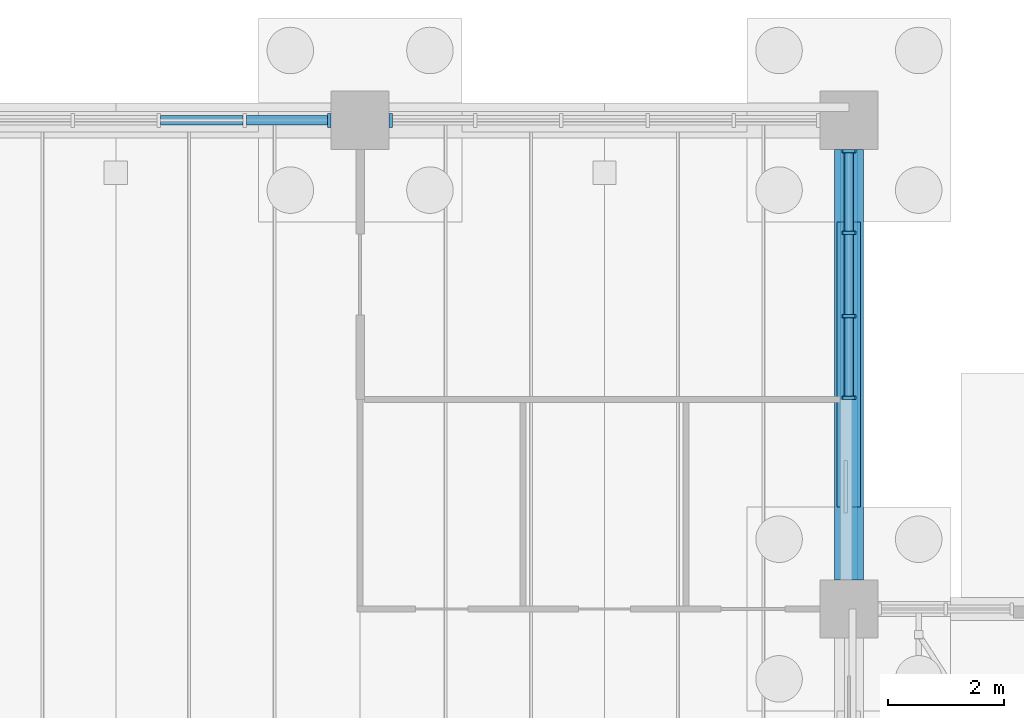
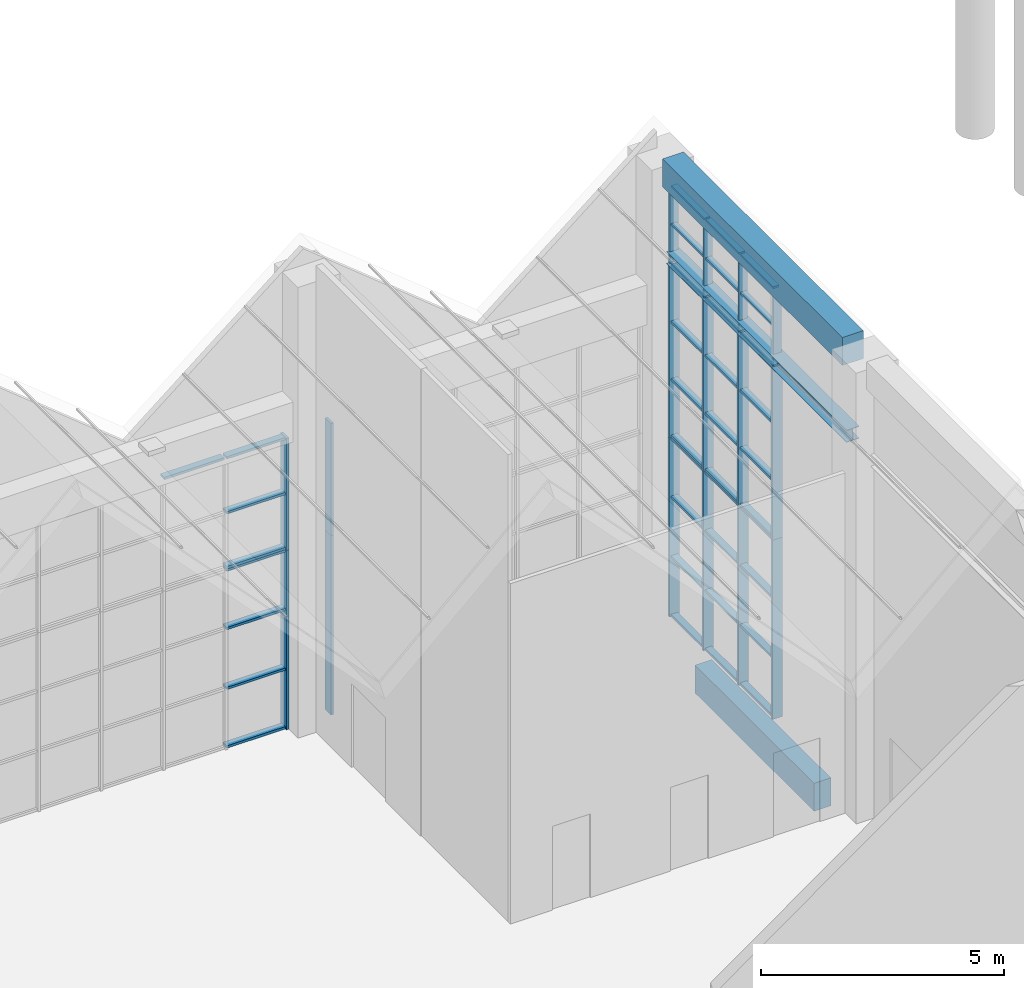
# One storey, part 57 of 138: 57 members, 3 beams, 7 elements without a shape of their own.
"""IFC4 building model written with IfcOpenShell, lengths in metres."""

from ifc_helpers import new_model, si_unit, direction, frame, origin, origin_2d, place, context, subcontext, project, spatial, rectangle, i_section, extrude, material, material_profile, profile_set, type_object, element, aggregate, save


model = new_model("IFC4")

# Units and contexts
model_context = context("Model", 3, precision=1e-05, world=origin(), true_north=direction((0.0, 1.0)))
body_context = subcontext(model_context, "Body", "Model", "MODEL_VIEW")
ifc_project = project(units=[si_unit("LENGTHUNIT", "METRE"), si_unit("AREAUNIT", "SQUARE_METRE"), si_unit("VOLUMEUNIT", "CUBIC_METRE"), si_unit("PLANEANGLEUNIT", "RADIAN"), si_unit("MASSUNIT", "GRAM", prefix="KILO")], contexts=[model_context])

# Site, building, storey
site_placement = place(None, origin())
site = spatial("IfcSite", under=ifc_project, at=site_placement, CompositionType="ELEMENT")
building_placement = place(site_placement, origin())
building = spatial("IfcBuilding", under=site, at=building_placement, Name="Yavir Park General Hospital", CompositionType="ELEMENT")
storey_placement = place(building_placement, origin())
storey = spatial("IfcBuildingStorey", under=building, at=storey_placement, Name="L00", CompositionType="ELEMENT", Elevation=0.0)

# Beam
ifc_material_1 = material(Name="Steel S355", Category="steel")
ifc_material_profile_1 = material_profile(ifc_material_1, i_section(OverallWidth=0.300048828125, OverallDepth=0.31005859375, WebThickness=0.009033203125, FlangeThickness=0.015380859375, FilletRadius=0.027099609375, at=origin_2d()), Name="HEA320")
ifc_profile_set_1 = profile_set([ifc_material_profile_1], Name="Steel S355")
beam_type_1 = type_object("IfcBeamType", Name="HEA 320 wind girder", PredefinedType="BEAM", material=ifc_profile_set_1)
beam_1_placement = place(storey_placement, frame((109.199951171875, 59.300048828125, 9.0), z_axis=(0.0, 1.0, 0.0), x_axis=(-1.0, 0.0, 0.0)))
element("IfcBeam", 1, at=beam_1_placement, inside=storey, type_object=beam_type_1, Name="B:HALL:WIND:E2", PredefinedType="BEAM", context=body_context, shape_type="SweptSolid", body=[
    extrude(i_section(OverallWidth=0.300048828125, OverallDepth=0.31005859375, WebThickness=0.009033203125, FlangeThickness=0.015380859375, FilletRadius=0.027099609375, at=origin_2d()), origin(), (0.0, 0.0, 1.0), 7.39990234375),
])

# Curtain wall, members
ifc_material_2 = material(Name="Aluminium curtain wall frame with insulated glazing", Category="aluminium")
curtain_wall_type_1 = type_object("IfcCurtainWallType", Name="Main hall glazing, clerestory band, 1970 high, 1400 module", PredefinedType="NOTDEFINED", material=ifc_material_2)
curtain_wall_1_placement = place(storey_placement, origin())
curtain_wall_1 = element("IfcCurtainWall", 2, at=curtain_wall_1_placement, inside=storey, type_object=curtain_wall_type_1, Name="CW35 L00-066", PredefinedType="NOTDEFINED")
ifc_material_3 = material(Name="Aluminium", Category="aluminium")
ifc_material_profile_2 = material_profile(ifc_material_3, rectangle(XDim=0.199951171875, YDim=0.050048828125, at=origin_2d()), Name="AL 50x200")
ifc_profile_set_2 = profile_set([ifc_material_profile_2], Name="Aluminium")
member_type_1 = type_object("IfcMemberType", Name="Main hall glazing, clerestory band, 1970 high mullion 50 x 200", PredefinedType="MULLION", material=ifc_profile_set_2)
member_1_placement = place(storey_placement, frame((109.199951171875, 62.425048828125, 8.844970703125), z_axis=(0.0, 0.0, 1.0), x_axis=(-1.0, 0.0, 0.0)))
member_1 = element("IfcMember", 3, at=member_1_placement, type_object=member_type_1, Name="CW35 mullion 1", PredefinedType="MULLION", context=body_context, shape_type="SweptSolid", body=[
    extrude(rectangle(XDim=0.199951171875, YDim=0.050048828125, at=origin_2d()), origin(), (0.0, 0.0, 1.0), 1.969970703125),
])
member_2_placement = place(storey_placement, frame((109.199951171875, 63.833251953125, 8.844970703125), z_axis=(0.0, 0.0, 1.0), x_axis=(-1.0, 0.0, 0.0)))
member_2 = element("IfcMember", 4, at=member_2_placement, type_object=member_type_1, Name="CW35 mullion 2", PredefinedType="MULLION", context=body_context, shape_type="SweptSolid", body=[
    extrude(rectangle(XDim=0.199951171875, YDim=0.050048828125, at=origin_2d()), origin(), (0.0, 0.0, 1.0), 1.969970703125),
])
member_3_placement = place(storey_placement, frame((109.199951171875, 65.2666015625, 8.844970703125), z_axis=(0.0, 0.0, 1.0), x_axis=(-1.0, 0.0, 0.0)))
member_3 = element("IfcMember", 5, at=member_3_placement, type_object=member_type_1, Name="CW35 mullion 3", PredefinedType="MULLION", context=body_context, shape_type="SweptSolid", body=[
    extrude(rectangle(XDim=0.199951171875, YDim=0.050048828125, at=origin_2d()), origin(), (0.0, 0.0, 1.0), 1.969970703125),
])
member_4_placement = place(storey_placement, frame((109.199951171875, 66.675048828125, 8.844970703125), z_axis=(0.0, 0.0, 1.0), x_axis=(-1.0, 0.0, 0.0)))
member_4 = element("IfcMember", 6, at=member_4_placement, type_object=member_type_1, Name="CW35 mullion 4", PredefinedType="MULLION", context=body_context, shape_type="SweptSolid", body=[
    extrude(rectangle(XDim=0.199951171875, YDim=0.050048828125, at=origin_2d()), origin(), (0.0, 0.0, 1.0), 1.969970703125),
])
ifc_material_4 = material(Name="Aluminium", Category="aluminium")
ifc_material_profile_3 = material_profile(ifc_material_4, rectangle(XDim=0.139892578125, YDim=0.050048828125, at=origin_2d()), Name="AL 140x50")
ifc_profile_set_3 = profile_set([ifc_material_profile_3], Name="Aluminium")
member_type_2 = type_object("IfcMemberType", Name="Main hall glazing, clerestory band, 1970 high transom 50 x 140", PredefinedType="MULLION", material=ifc_profile_set_3)
member_5_placement = place(storey_placement, frame((109.199951171875, 62.449951171875, 8.8701171875), z_axis=(0.0, 1.0, 0.0), x_axis=(-1.0, 0.0, 0.0)))
member_5 = element("IfcMember", 7, at=member_5_placement, type_object=member_type_2, Name="CW35 transom 1.1", PredefinedType="MULLION", context=body_context, shape_type="SweptSolid", body=[
    extrude(rectangle(XDim=0.139892578125, YDim=0.050048828125, at=origin_2d()), origin(), (0.0, 0.0, 1.0), 1.3583984375),
])
member_6_placement = place(storey_placement, frame((109.199951171875, 62.449951171875, 9.830078125), z_axis=(0.0, 1.0, 0.0), x_axis=(-1.0, 0.0, 0.0)))
member_6 = element("IfcMember", 8, at=member_6_placement, type_object=member_type_2, Name="CW35 transom 1.2", PredefinedType="MULLION", context=body_context, shape_type="SweptSolid", body=[
    extrude(rectangle(XDim=0.139892578125, YDim=0.050048828125, at=origin_2d()), origin(), (0.0, 0.0, 1.0), 1.3583984375),
])
member_7_placement = place(storey_placement, frame((109.199951171875, 62.449951171875, 10.7900390625), z_axis=(0.0, 1.0, 0.0), x_axis=(-1.0, 0.0, 0.0)))
member_7 = element("IfcMember", 9, at=member_7_placement, type_object=member_type_2, Name="CW35 transom 1.3", PredefinedType="MULLION", context=body_context, shape_type="SweptSolid", body=[
    extrude(rectangle(XDim=0.139892578125, YDim=0.050048828125, at=origin_2d()), origin(), (0.0, 0.0, 1.0), 1.3583984375),
])
member_8_placement = place(storey_placement, frame((109.199951171875, 63.8583984375, 8.8701171875), z_axis=(0.0, 1.0, 0.0), x_axis=(-1.0, 0.0, 0.0)))
member_8 = element("IfcMember", 10, at=member_8_placement, type_object=member_type_2, Name="CW35 transom 2.1", PredefinedType="MULLION", context=body_context, shape_type="SweptSolid", body=[
    extrude(rectangle(XDim=0.139892578125, YDim=0.050048828125, at=origin_2d()), origin(), (0.0, 0.0, 1.0), 1.38330078125),
])
member_9_placement = place(storey_placement, frame((109.199951171875, 63.8583984375, 9.830078125), z_axis=(0.0, 1.0, 0.0), x_axis=(-1.0, 0.0, 0.0)))
member_9 = element("IfcMember", 11, at=member_9_placement, type_object=member_type_2, Name="CW35 transom 2.2", PredefinedType="MULLION", context=body_context, shape_type="SweptSolid", body=[
    extrude(rectangle(XDim=0.139892578125, YDim=0.050048828125, at=origin_2d()), origin(), (0.0, 0.0, 1.0), 1.38330078125),
])
member_10_placement = place(storey_placement, frame((109.199951171875, 63.8583984375, 10.7900390625), z_axis=(0.0, 1.0, 0.0), x_axis=(-1.0, 0.0, 0.0)))
member_10 = element("IfcMember", 12, at=member_10_placement, type_object=member_type_2, Name="CW35 transom 2.3", PredefinedType="MULLION", context=body_context, shape_type="SweptSolid", body=[
    extrude(rectangle(XDim=0.139892578125, YDim=0.050048828125, at=origin_2d()), origin(), (0.0, 0.0, 1.0), 1.38330078125),
])
member_11_placement = place(storey_placement, frame((109.199951171875, 65.291748046875, 8.8701171875), z_axis=(0.0, 1.0, 0.0), x_axis=(-1.0, 0.0, 0.0)))
member_11 = element("IfcMember", 13, at=member_11_placement, type_object=member_type_2, Name="CW35 transom 3.1", PredefinedType="MULLION", context=body_context, shape_type="SweptSolid", body=[
    extrude(rectangle(XDim=0.139892578125, YDim=0.050048828125, at=origin_2d()), origin(), (0.0, 0.0, 1.0), 1.358154296875),
])
member_12_placement = place(storey_placement, frame((109.199951171875, 65.291748046875, 9.830078125), z_axis=(0.0, 1.0, 0.0), x_axis=(-1.0, 0.0, 0.0)))
member_12 = element("IfcMember", 14, at=member_12_placement, type_object=member_type_2, Name="CW35 transom 3.2", PredefinedType="MULLION", context=body_context, shape_type="SweptSolid", body=[
    extrude(rectangle(XDim=0.139892578125, YDim=0.050048828125, at=origin_2d()), origin(), (0.0, 0.0, 1.0), 1.358154296875),
])
member_13_placement = place(storey_placement, frame((109.199951171875, 65.291748046875, 10.7900390625), z_axis=(0.0, 1.0, 0.0), x_axis=(-1.0, 0.0, 0.0)))
member_13 = element("IfcMember", 15, at=member_13_placement, type_object=member_type_2, Name="CW35 transom 3.3", PredefinedType="MULLION", context=body_context, shape_type="SweptSolid", body=[
    extrude(rectangle(XDim=0.139892578125, YDim=0.050048828125, at=origin_2d()), origin(), (0.0, 0.0, 1.0), 1.358154296875),
])
aggregate(curtain_wall_1, [member_1, member_2, member_3, member_4, member_5, member_6, member_7, member_8, member_9, member_10, member_11, member_12, member_13])

# Curtain wall, member
ifc_material_5 = material(Name="Aluminium curtain wall frame with insulated glazing", Category="aluminium")
curtain_wall_type_2 = type_object("IfcCurtainWallType", Name="Main hall glazing, lower band, 4500 high, 1400 module", PredefinedType="NOTDEFINED", material=ifc_material_5)
curtain_wall_2_placement = place(storey_placement, origin())
curtain_wall_2 = element("IfcCurtainWall", 16, at=curtain_wall_2_placement, inside=storey, type_object=curtain_wall_type_2, Name="CW33 L00-029", PredefinedType="NOTDEFINED")
ifc_material_6 = material(Name="Aluminium", Category="aluminium")
ifc_material_profile_4 = material_profile(ifc_material_6, rectangle(XDim=0.239990234375, YDim=0.06005859375, at=origin_2d()), Name="AL 60x240")
ifc_profile_set_4 = profile_set([ifc_material_profile_4], Name="Aluminium")
member_type_3 = type_object("IfcMemberType", Name="Main hall glazing, lower band, 4500 high mullion 60 x 240", PredefinedType="MULLION", material=ifc_profile_set_4)
member_14_placement = place(storey_placement, frame((100.27001953125, 67.199951171875, 0.0), z_axis=(0.0, 0.0, 1.0), x_axis=(0.0, 1.0, 0.0)))
member_14 = element("IfcMember", 17, at=member_14_placement, type_object=member_type_3, Name="CW33 mullion 6", PredefinedType="MULLION", context=body_context, shape_type="SweptSolid", body=[
    extrude(rectangle(XDim=0.239990234375, YDim=0.06005859375, at=origin_2d()), origin(), (0.0, 0.0, 1.0), 4.5),
])

curtain_wall_3_placement = place(storey_placement, origin())
curtain_wall_3 = element("IfcCurtainWall", 18, at=curtain_wall_3_placement, inside=storey, type_object=curtain_wall_type_2, Name="CW33 L00-031", PredefinedType="NOTDEFINED")
member_15_placement = place(storey_placement, frame((101.330078125, 67.199951171875, 0.0), z_axis=(0.0, 0.0, 1.0), x_axis=(0.0, 1.0, 0.0)))
member_15 = element("IfcMember", 19, at=member_15_placement, type_object=member_type_3, Name="CW33 mullion 1", PredefinedType="MULLION", context=body_context, shape_type="SweptSolid", body=[
    extrude(rectangle(XDim=0.239990234375, YDim=0.06005859375, at=origin_2d()), origin(), (0.0, 0.0, 1.0), 4.5),
])
aggregate(curtain_wall_3, [member_15])

# Curtain wall, members
curtain_wall_4_placement = place(storey_placement, origin())
curtain_wall_4 = element("IfcCurtainWall", 20, at=curtain_wall_4_placement, inside=storey, type_object=curtain_wall_type_2, Name="CW33 L00-064", PredefinedType="NOTDEFINED")
member_16_placement = place(storey_placement, frame((109.199951171875, 62.429931640625, 0.0), z_axis=(0.0, 0.0, 1.0), x_axis=(-1.0, 0.0, 0.0)))
member_16 = element("IfcMember", 21, at=member_16_placement, type_object=member_type_3, Name="CW33 mullion 1", PredefinedType="MULLION", context=body_context, shape_type="SweptSolid", body=[
    extrude(rectangle(XDim=0.239990234375, YDim=0.06005859375, at=origin_2d()), origin(), (0.0, 0.0, 1.0), 4.5),
])
member_17_placement = place(storey_placement, frame((109.199951171875, 63.833251953125, 0.0), z_axis=(0.0, 0.0, 1.0), x_axis=(-1.0, 0.0, 0.0)))
member_17 = element("IfcMember", 22, at=member_17_placement, type_object=member_type_3, Name="CW33 mullion 2", PredefinedType="MULLION", context=body_context, shape_type="SweptSolid", body=[
    extrude(rectangle(XDim=0.239990234375, YDim=0.06005859375, at=origin_2d()), origin(), (0.0, 0.0, 1.0), 4.5),
])
member_18_placement = place(storey_placement, frame((109.199951171875, 65.2666015625, 0.0), z_axis=(0.0, 0.0, 1.0), x_axis=(-1.0, 0.0, 0.0)))
member_18 = element("IfcMember", 23, at=member_18_placement, type_object=member_type_3, Name="CW33 mullion 3", PredefinedType="MULLION", context=body_context, shape_type="SweptSolid", body=[
    extrude(rectangle(XDim=0.239990234375, YDim=0.06005859375, at=origin_2d()), origin(), (0.0, 0.0, 1.0), 4.5),
])
member_19_placement = place(storey_placement, frame((109.199951171875, 66.669921875, 0.0), z_axis=(0.0, 0.0, 1.0), x_axis=(-1.0, 0.0, 0.0)))
member_19 = element("IfcMember", 24, at=member_19_placement, type_object=member_type_3, Name="CW33 mullion 4", PredefinedType="MULLION", context=body_context, shape_type="SweptSolid", body=[
    extrude(rectangle(XDim=0.239990234375, YDim=0.06005859375, at=origin_2d()), origin(), (0.0, 0.0, 1.0), 4.5),
])

# Member
ifc_material_7 = material(Name="Aluminium", Category="aluminium")
ifc_material_profile_5 = material_profile(ifc_material_7, rectangle(XDim=0.159912109375, YDim=0.06005859375, at=origin_2d()), Name="AL 160x60")
ifc_profile_set_5 = profile_set([ifc_material_profile_5], Name="Aluminium")
member_type_4 = type_object("IfcMemberType", Name="Main hall glazing, lower band, 4500 high transom 60 x 160", PredefinedType="MULLION", material=ifc_profile_set_5)
member_20_placement = place(storey_placement, frame((98.85009765625, 67.199951171875, 0.030029296875), z_axis=(1.0, 0.0, 0.0), x_axis=(0.0, 1.0, 0.0)))
member_20 = element("IfcMember", 25, at=member_20_placement, type_object=member_type_4, Name="CW33 transom 5.1", PredefinedType="MULLION", context=body_context, shape_type="SweptSolid", body=[
    extrude(rectangle(XDim=0.159912109375, YDim=0.06005859375, at=origin_2d()), origin(), (0.0, 0.0, 1.0), 1.389892578125),
])

member_21_placement = place(storey_placement, frame((98.85009765625, 67.199951171875, 1.5), z_axis=(1.0, 0.0, 0.0), x_axis=(0.0, 1.0, 0.0)))
member_21 = element("IfcMember", 26, at=member_21_placement, type_object=member_type_4, Name="CW33 transom 5.2", PredefinedType="MULLION", context=body_context, shape_type="SweptSolid", body=[
    extrude(rectangle(XDim=0.159912109375, YDim=0.06005859375, at=origin_2d()), origin(), (0.0, 0.0, 1.0), 1.389892578125),
])

member_22_placement = place(storey_placement, frame((98.85009765625, 67.199951171875, 3.0), z_axis=(1.0, 0.0, 0.0), x_axis=(0.0, 1.0, 0.0)))
member_22 = element("IfcMember", 27, at=member_22_placement, type_object=member_type_4, Name="CW33 transom 5.3", PredefinedType="MULLION", context=body_context, shape_type="SweptSolid", body=[
    extrude(rectangle(XDim=0.159912109375, YDim=0.06005859375, at=origin_2d()), origin(), (0.0, 0.0, 1.0), 1.389892578125),
])

member_23_placement = place(storey_placement, frame((98.85009765625, 67.199951171875, 4.469970703125), z_axis=(1.0, 0.0, 0.0), x_axis=(0.0, 1.0, 0.0)))
member_23 = element("IfcMember", 28, at=member_23_placement, type_object=member_type_4, Name="CW33 transom 5.4", PredefinedType="MULLION", context=body_context, shape_type="SweptSolid", body=[
    extrude(rectangle(XDim=0.159912109375, YDim=0.06005859375, at=origin_2d()), origin(), (0.0, 0.0, 1.0), 1.389892578125),
])

aggregate(curtain_wall_2, [member_14, member_20, member_21, member_22, member_23])

member_24_placement = place(storey_placement, frame((109.199951171875, 62.4599609375, 0.030029296875), z_axis=(0.0, 1.0, 0.0), x_axis=(-1.0, 0.0, 0.0)))
member_24 = element("IfcMember", 29, at=member_24_placement, type_object=member_type_4, Name="CW33 transom 1.1", PredefinedType="MULLION", context=body_context, shape_type="SweptSolid", body=[
    extrude(rectangle(XDim=0.159912109375, YDim=0.06005859375, at=origin_2d()), origin(), (0.0, 0.0, 1.0), 1.34326171875),
])

member_25_placement = place(storey_placement, frame((109.199951171875, 62.4599609375, 1.5), z_axis=(0.0, 1.0, 0.0), x_axis=(-1.0, 0.0, 0.0)))
member_25 = element("IfcMember", 30, at=member_25_placement, type_object=member_type_4, Name="CW33 transom 1.2", PredefinedType="MULLION", context=body_context, shape_type="SweptSolid", body=[
    extrude(rectangle(XDim=0.159912109375, YDim=0.06005859375, at=origin_2d()), origin(), (0.0, 0.0, 1.0), 1.34326171875),
])

member_26_placement = place(storey_placement, frame((109.199951171875, 62.4599609375, 3.0), z_axis=(0.0, 1.0, 0.0), x_axis=(-1.0, 0.0, 0.0)))
member_26 = element("IfcMember", 31, at=member_26_placement, type_object=member_type_4, Name="CW33 transom 1.3", PredefinedType="MULLION", context=body_context, shape_type="SweptSolid", body=[
    extrude(rectangle(XDim=0.159912109375, YDim=0.06005859375, at=origin_2d()), origin(), (0.0, 0.0, 1.0), 1.34326171875),
])

member_27_placement = place(storey_placement, frame((109.199951171875, 62.4599609375, 4.469970703125), z_axis=(0.0, 1.0, 0.0), x_axis=(-1.0, 0.0, 0.0)))
member_27 = element("IfcMember", 32, at=member_27_placement, type_object=member_type_4, Name="CW33 transom 1.4", PredefinedType="MULLION", context=body_context, shape_type="SweptSolid", body=[
    extrude(rectangle(XDim=0.159912109375, YDim=0.06005859375, at=origin_2d()), origin(), (0.0, 0.0, 1.0), 1.34326171875),
])

member_28_placement = place(storey_placement, frame((109.199951171875, 63.86328125, 0.030029296875), z_axis=(0.0, 1.0, 0.0), x_axis=(-1.0, 0.0, 0.0)))
member_28 = element("IfcMember", 33, at=member_28_placement, type_object=member_type_4, Name="CW33 transom 2.1", PredefinedType="MULLION", context=body_context, shape_type="SweptSolid", body=[
    extrude(rectangle(XDim=0.159912109375, YDim=0.06005859375, at=origin_2d()), origin(), (0.0, 0.0, 1.0), 1.373291015625),
])

member_29_placement = place(storey_placement, frame((109.199951171875, 63.86328125, 1.5), z_axis=(0.0, 1.0, 0.0), x_axis=(-1.0, 0.0, 0.0)))
member_29 = element("IfcMember", 34, at=member_29_placement, type_object=member_type_4, Name="CW33 transom 2.2", PredefinedType="MULLION", context=body_context, shape_type="SweptSolid", body=[
    extrude(rectangle(XDim=0.159912109375, YDim=0.06005859375, at=origin_2d()), origin(), (0.0, 0.0, 1.0), 1.373291015625),
])

member_30_placement = place(storey_placement, frame((109.199951171875, 63.86328125, 3.0), z_axis=(0.0, 1.0, 0.0), x_axis=(-1.0, 0.0, 0.0)))
member_30 = element("IfcMember", 35, at=member_30_placement, type_object=member_type_4, Name="CW33 transom 2.3", PredefinedType="MULLION", context=body_context, shape_type="SweptSolid", body=[
    extrude(rectangle(XDim=0.159912109375, YDim=0.06005859375, at=origin_2d()), origin(), (0.0, 0.0, 1.0), 1.373291015625),
])

member_31_placement = place(storey_placement, frame((109.199951171875, 63.86328125, 4.469970703125), z_axis=(0.0, 1.0, 0.0), x_axis=(-1.0, 0.0, 0.0)))
member_31 = element("IfcMember", 36, at=member_31_placement, type_object=member_type_4, Name="CW33 transom 2.4", PredefinedType="MULLION", context=body_context, shape_type="SweptSolid", body=[
    extrude(rectangle(XDim=0.159912109375, YDim=0.06005859375, at=origin_2d()), origin(), (0.0, 0.0, 1.0), 1.373291015625),
])

member_32_placement = place(storey_placement, frame((109.199951171875, 65.296630859375, 0.030029296875), z_axis=(0.0, 1.0, 0.0), x_axis=(-1.0, 0.0, 0.0)))
member_32 = element("IfcMember", 37, at=member_32_placement, type_object=member_type_4, Name="CW33 transom 3.1", PredefinedType="MULLION", context=body_context, shape_type="SweptSolid", body=[
    extrude(rectangle(XDim=0.159912109375, YDim=0.06005859375, at=origin_2d()), origin(), (0.0, 0.0, 1.0), 1.34326171875),
])

member_33_placement = place(storey_placement, frame((109.199951171875, 65.296630859375, 1.5), z_axis=(0.0, 1.0, 0.0), x_axis=(-1.0, 0.0, 0.0)))
member_33 = element("IfcMember", 38, at=member_33_placement, type_object=member_type_4, Name="CW33 transom 3.2", PredefinedType="MULLION", context=body_context, shape_type="SweptSolid", body=[
    extrude(rectangle(XDim=0.159912109375, YDim=0.06005859375, at=origin_2d()), origin(), (0.0, 0.0, 1.0), 1.34326171875),
])

member_34_placement = place(storey_placement, frame((109.199951171875, 65.296630859375, 3.0), z_axis=(0.0, 1.0, 0.0), x_axis=(-1.0, 0.0, 0.0)))
member_34 = element("IfcMember", 39, at=member_34_placement, type_object=member_type_4, Name="CW33 transom 3.3", PredefinedType="MULLION", context=body_context, shape_type="SweptSolid", body=[
    extrude(rectangle(XDim=0.159912109375, YDim=0.06005859375, at=origin_2d()), origin(), (0.0, 0.0, 1.0), 1.34326171875),
])

member_35_placement = place(storey_placement, frame((109.199951171875, 65.296630859375, 4.469970703125), z_axis=(0.0, 1.0, 0.0), x_axis=(-1.0, 0.0, 0.0)))
member_35 = element("IfcMember", 40, at=member_35_placement, type_object=member_type_4, Name="CW33 transom 3.4", PredefinedType="MULLION", context=body_context, shape_type="SweptSolid", body=[
    extrude(rectangle(XDim=0.159912109375, YDim=0.06005859375, at=origin_2d()), origin(), (0.0, 0.0, 1.0), 1.34326171875),
])

aggregate(curtain_wall_4, [member_16, member_17, member_18, member_19, member_24, member_25, member_26, member_27, member_28, member_29, member_30, member_31, member_32, member_33, member_34, member_35])

# Curtain wall, member
ifc_material_8 = material(Name="Aluminium curtain wall frame with insulated glazing", Category="aluminium")
curtain_wall_type_3 = type_object("IfcCurtainWallType", Name="Main hall glazing, upper band, 2817 high, 1400 module", PredefinedType="NOTDEFINED", material=ifc_material_8)
curtain_wall_5_placement = place(storey_placement, origin())
curtain_wall_5 = element("IfcCurtainWall", 41, at=curtain_wall_5_placement, inside=storey, type_object=curtain_wall_type_3, Name="CW34 L00-030", PredefinedType="NOTDEFINED")
ifc_material_9 = material(Name="Aluminium", Category="aluminium")
ifc_material_profile_6 = material_profile(ifc_material_9, rectangle(XDim=0.239990234375, YDim=0.06005859375, at=origin_2d()), Name="AL 60x240")
ifc_profile_set_6 = profile_set([ifc_material_profile_6], Name="Aluminium")
member_type_5 = type_object("IfcMemberType", Name="Main hall glazing, upper band, 2817 high mullion 60 x 240", PredefinedType="MULLION", material=ifc_profile_set_6)
member_36_placement = place(storey_placement, frame((100.27001953125, 67.199951171875, 4.5), z_axis=(0.0, 0.0, 1.0), x_axis=(0.0, 1.0, 0.0)))
member_36 = element("IfcMember", 42, at=member_36_placement, type_object=member_type_5, Name="CW34 mullion 6", PredefinedType="MULLION", context=body_context, shape_type="SweptSolid", body=[
    extrude(rectangle(XDim=0.239990234375, YDim=0.06005859375, at=origin_2d()), origin(), (0.0, 0.0, 1.0), 2.81689453125),
])

curtain_wall_6_placement = place(storey_placement, origin())
curtain_wall_6 = element("IfcCurtainWall", 43, at=curtain_wall_6_placement, inside=storey, type_object=curtain_wall_type_3, Name="CW34 L00-032", PredefinedType="NOTDEFINED")
member_37_placement = place(storey_placement, frame((101.330078125, 67.199951171875, 4.5), z_axis=(0.0, 0.0, 1.0), x_axis=(0.0, 1.0, 0.0)))
member_37 = element("IfcMember", 44, at=member_37_placement, type_object=member_type_5, Name="CW34 mullion 1", PredefinedType="MULLION", context=body_context, shape_type="SweptSolid", body=[
    extrude(rectangle(XDim=0.239990234375, YDim=0.06005859375, at=origin_2d()), origin(), (0.0, 0.0, 1.0), 2.81689453125),
])
aggregate(curtain_wall_6, [member_37])

# Member
ifc_material_10 = material(Name="Aluminium", Category="aluminium")
ifc_material_profile_7 = material_profile(ifc_material_10, rectangle(XDim=0.159912109375, YDim=0.06005859375, at=origin_2d()), Name="AL 160x60")
ifc_profile_set_7 = profile_set([ifc_material_profile_7], Name="Aluminium")
member_type_6 = type_object("IfcMemberType", Name="Main hall glazing, upper band, 2817 high transom 60 x 160", PredefinedType="MULLION", material=ifc_profile_set_7)
member_38_placement = place(storey_placement, frame((97.3701171875, 67.199951171875, 7.287109375), z_axis=(1.0, 0.0, 0.0), x_axis=(0.0, 1.0, 0.0)))
member_38 = element("IfcMember", 45, at=member_38_placement, type_object=member_type_6, Name="CW34 transom 4.3", PredefinedType="MULLION", context=body_context, shape_type="SweptSolid", body=[
    extrude(rectangle(XDim=0.159912109375, YDim=0.06005859375, at=origin_2d()), origin(), (0.0, 0.0, 1.0), 1.419921875),
])

member_39_placement = place(storey_placement, frame((98.85009765625, 67.199951171875, 4.530029296875), z_axis=(1.0, 0.0, 0.0), x_axis=(0.0, 1.0, 0.0)))
member_39 = element("IfcMember", 46, at=member_39_placement, type_object=member_type_6, Name="CW34 transom 5.1", PredefinedType="MULLION", context=body_context, shape_type="SweptSolid", body=[
    extrude(rectangle(XDim=0.159912109375, YDim=0.06005859375, at=origin_2d()), origin(), (0.0, 0.0, 1.0), 1.389892578125),
])

member_40_placement = place(storey_placement, frame((98.85009765625, 67.199951171875, 5.908447265625), z_axis=(1.0, 0.0, 0.0), x_axis=(0.0, 1.0, 0.0)))
member_40 = element("IfcMember", 47, at=member_40_placement, type_object=member_type_6, Name="CW34 transom 5.2", PredefinedType="MULLION", context=body_context, shape_type="SweptSolid", body=[
    extrude(rectangle(XDim=0.159912109375, YDim=0.06005859375, at=origin_2d()), origin(), (0.0, 0.0, 1.0), 1.389892578125),
])

member_41_placement = place(storey_placement, frame((98.85009765625, 67.199951171875, 7.287109375), z_axis=(1.0, 0.0, 0.0), x_axis=(0.0, 1.0, 0.0)))
member_41 = element("IfcMember", 48, at=member_41_placement, type_object=member_type_6, Name="CW34 transom 5.3", PredefinedType="MULLION", context=body_context, shape_type="SweptSolid", body=[
    extrude(rectangle(XDim=0.159912109375, YDim=0.06005859375, at=origin_2d()), origin(), (0.0, 0.0, 1.0), 1.389892578125),
])

aggregate(curtain_wall_5, [member_36, member_38, member_39, member_40, member_41])

# Curtain wall, members
ifc_material_11 = material(Name="Aluminium curtain wall frame with insulated glazing", Category="aluminium")
curtain_wall_type_4 = type_object("IfcCurtainWallType", Name="Main hall glazing, upper band, 4345 high, 1400 module", PredefinedType="NOTDEFINED", material=ifc_material_11)
curtain_wall_7_placement = place(storey_placement, origin())
curtain_wall_7 = element("IfcCurtainWall", 49, at=curtain_wall_7_placement, inside=storey, type_object=curtain_wall_type_4, Name="CW52 L00-065", PredefinedType="NOTDEFINED")
ifc_material_12 = material(Name="Aluminium", Category="aluminium")
ifc_material_profile_8 = material_profile(ifc_material_12, rectangle(XDim=0.239990234375, YDim=0.06005859375, at=origin_2d()), Name="AL 60x240")
ifc_profile_set_8 = profile_set([ifc_material_profile_8], Name="Aluminium")
member_type_7 = type_object("IfcMemberType", Name="Main hall glazing, upper band, 4345 high mullion 60 x 240", PredefinedType="MULLION", material=ifc_profile_set_8)
member_42_placement = place(storey_placement, frame((109.199951171875, 62.429931640625, 4.5), z_axis=(0.0, 0.0, 1.0), x_axis=(-1.0, 0.0, 0.0)))
member_42 = element("IfcMember", 50, at=member_42_placement, type_object=member_type_7, Name="CW52 mullion 1", PredefinedType="MULLION", context=body_context, shape_type="SweptSolid", body=[
    extrude(rectangle(XDim=0.239990234375, YDim=0.06005859375, at=origin_2d()), origin(), (0.0, 0.0, 1.0), 4.344970703125),
])
member_43_placement = place(storey_placement, frame((109.199951171875, 63.833251953125, 4.5), z_axis=(0.0, 0.0, 1.0), x_axis=(-1.0, 0.0, 0.0)))
member_43 = element("IfcMember", 51, at=member_43_placement, type_object=member_type_7, Name="CW52 mullion 2", PredefinedType="MULLION", context=body_context, shape_type="SweptSolid", body=[
    extrude(rectangle(XDim=0.239990234375, YDim=0.06005859375, at=origin_2d()), origin(), (0.0, 0.0, 1.0), 4.344970703125),
])
member_44_placement = place(storey_placement, frame((109.199951171875, 65.2666015625, 4.5), z_axis=(0.0, 0.0, 1.0), x_axis=(-1.0, 0.0, 0.0)))
member_44 = element("IfcMember", 52, at=member_44_placement, type_object=member_type_7, Name="CW52 mullion 3", PredefinedType="MULLION", context=body_context, shape_type="SweptSolid", body=[
    extrude(rectangle(XDim=0.239990234375, YDim=0.06005859375, at=origin_2d()), origin(), (0.0, 0.0, 1.0), 4.344970703125),
])
member_45_placement = place(storey_placement, frame((109.199951171875, 66.669921875, 4.5), z_axis=(0.0, 0.0, 1.0), x_axis=(-1.0, 0.0, 0.0)))
member_45 = element("IfcMember", 53, at=member_45_placement, type_object=member_type_7, Name="CW52 mullion 4", PredefinedType="MULLION", context=body_context, shape_type="SweptSolid", body=[
    extrude(rectangle(XDim=0.239990234375, YDim=0.06005859375, at=origin_2d()), origin(), (0.0, 0.0, 1.0), 4.344970703125),
])
ifc_material_13 = material(Name="Aluminium", Category="aluminium")
ifc_material_profile_9 = material_profile(ifc_material_13, rectangle(XDim=0.159912109375, YDim=0.06005859375, at=origin_2d()), Name="AL 160x60")
ifc_profile_set_9 = profile_set([ifc_material_profile_9], Name="Aluminium")
member_type_8 = type_object("IfcMemberType", Name="Main hall glazing, upper band, 4345 high transom 60 x 160", PredefinedType="MULLION", material=ifc_profile_set_9)
member_46_placement = place(storey_placement, frame((109.199951171875, 62.4599609375, 4.530029296875), z_axis=(0.0, 1.0, 0.0), x_axis=(-1.0, 0.0, 0.0)))
member_46 = element("IfcMember", 54, at=member_46_placement, type_object=member_type_8, Name="CW52 transom 1.1", PredefinedType="MULLION", context=body_context, shape_type="SweptSolid", body=[
    extrude(rectangle(XDim=0.159912109375, YDim=0.06005859375, at=origin_2d()), origin(), (0.0, 0.0, 1.0), 1.34326171875),
])
member_47_placement = place(storey_placement, frame((109.199951171875, 62.4599609375, 5.9482421875), z_axis=(0.0, 1.0, 0.0), x_axis=(-1.0, 0.0, 0.0)))
member_47 = element("IfcMember", 55, at=member_47_placement, type_object=member_type_8, Name="CW52 transom 1.2", PredefinedType="MULLION", context=body_context, shape_type="SweptSolid", body=[
    extrude(rectangle(XDim=0.159912109375, YDim=0.06005859375, at=origin_2d()), origin(), (0.0, 0.0, 1.0), 1.34326171875),
])
member_48_placement = place(storey_placement, frame((109.199951171875, 62.4599609375, 7.396728515625), z_axis=(0.0, 1.0, 0.0), x_axis=(-1.0, 0.0, 0.0)))
member_48 = element("IfcMember", 56, at=member_48_placement, type_object=member_type_8, Name="CW52 transom 1.3", PredefinedType="MULLION", context=body_context, shape_type="SweptSolid", body=[
    extrude(rectangle(XDim=0.159912109375, YDim=0.06005859375, at=origin_2d()), origin(), (0.0, 0.0, 1.0), 1.34326171875),
])
member_49_placement = place(storey_placement, frame((109.199951171875, 62.4599609375, 8.81494140625), z_axis=(0.0, 1.0, 0.0), x_axis=(-1.0, 0.0, 0.0)))
member_49 = element("IfcMember", 57, at=member_49_placement, type_object=member_type_8, Name="CW52 transom 1.4", PredefinedType="MULLION", context=body_context, shape_type="SweptSolid", body=[
    extrude(rectangle(XDim=0.159912109375, YDim=0.06005859375, at=origin_2d()), origin(), (0.0, 0.0, 1.0), 1.34326171875),
])
member_50_placement = place(storey_placement, frame((109.199951171875, 63.86328125, 4.530029296875), z_axis=(0.0, 1.0, 0.0), x_axis=(-1.0, 0.0, 0.0)))
member_50 = element("IfcMember", 58, at=member_50_placement, type_object=member_type_8, Name="CW52 transom 2.1", PredefinedType="MULLION", context=body_context, shape_type="SweptSolid", body=[
    extrude(rectangle(XDim=0.159912109375, YDim=0.06005859375, at=origin_2d()), origin(), (0.0, 0.0, 1.0), 1.373291015625),
])
member_51_placement = place(storey_placement, frame((109.199951171875, 63.86328125, 5.9482421875), z_axis=(0.0, 1.0, 0.0), x_axis=(-1.0, 0.0, 0.0)))
member_51 = element("IfcMember", 59, at=member_51_placement, type_object=member_type_8, Name="CW52 transom 2.2", PredefinedType="MULLION", context=body_context, shape_type="SweptSolid", body=[
    extrude(rectangle(XDim=0.159912109375, YDim=0.06005859375, at=origin_2d()), origin(), (0.0, 0.0, 1.0), 1.373291015625),
])
member_52_placement = place(storey_placement, frame((109.199951171875, 63.86328125, 7.396728515625), z_axis=(0.0, 1.0, 0.0), x_axis=(-1.0, 0.0, 0.0)))
member_52 = element("IfcMember", 60, at=member_52_placement, type_object=member_type_8, Name="CW52 transom 2.3", PredefinedType="MULLION", context=body_context, shape_type="SweptSolid", body=[
    extrude(rectangle(XDim=0.159912109375, YDim=0.06005859375, at=origin_2d()), origin(), (0.0, 0.0, 1.0), 1.373291015625),
])
member_53_placement = place(storey_placement, frame((109.199951171875, 63.86328125, 8.81494140625), z_axis=(0.0, 1.0, 0.0), x_axis=(-1.0, 0.0, 0.0)))
member_53 = element("IfcMember", 61, at=member_53_placement, type_object=member_type_8, Name="CW52 transom 2.4", PredefinedType="MULLION", context=body_context, shape_type="SweptSolid", body=[
    extrude(rectangle(XDim=0.159912109375, YDim=0.06005859375, at=origin_2d()), origin(), (0.0, 0.0, 1.0), 1.373291015625),
])
member_54_placement = place(storey_placement, frame((109.199951171875, 65.296630859375, 4.530029296875), z_axis=(0.0, 1.0, 0.0), x_axis=(-1.0, 0.0, 0.0)))
member_54 = element("IfcMember", 62, at=member_54_placement, type_object=member_type_8, Name="CW52 transom 3.1", PredefinedType="MULLION", context=body_context, shape_type="SweptSolid", body=[
    extrude(rectangle(XDim=0.159912109375, YDim=0.06005859375, at=origin_2d()), origin(), (0.0, 0.0, 1.0), 1.34326171875),
])
member_55_placement = place(storey_placement, frame((109.199951171875, 65.296630859375, 5.9482421875), z_axis=(0.0, 1.0, 0.0), x_axis=(-1.0, 0.0, 0.0)))
member_55 = element("IfcMember", 63, at=member_55_placement, type_object=member_type_8, Name="CW52 transom 3.2", PredefinedType="MULLION", context=body_context, shape_type="SweptSolid", body=[
    extrude(rectangle(XDim=0.159912109375, YDim=0.06005859375, at=origin_2d()), origin(), (0.0, 0.0, 1.0), 1.34326171875),
])
member_56_placement = place(storey_placement, frame((109.199951171875, 65.296630859375, 7.396728515625), z_axis=(0.0, 1.0, 0.0), x_axis=(-1.0, 0.0, 0.0)))
member_56 = element("IfcMember", 64, at=member_56_placement, type_object=member_type_8, Name="CW52 transom 3.3", PredefinedType="MULLION", context=body_context, shape_type="SweptSolid", body=[
    extrude(rectangle(XDim=0.159912109375, YDim=0.06005859375, at=origin_2d()), origin(), (0.0, 0.0, 1.0), 1.34326171875),
])
member_57_placement = place(storey_placement, frame((109.199951171875, 65.296630859375, 8.81494140625), z_axis=(0.0, 1.0, 0.0), x_axis=(-1.0, 0.0, 0.0)))
member_57 = element("IfcMember", 65, at=member_57_placement, type_object=member_type_8, Name="CW52 transom 3.4", PredefinedType="MULLION", context=body_context, shape_type="SweptSolid", body=[
    extrude(rectangle(XDim=0.159912109375, YDim=0.06005859375, at=origin_2d()), origin(), (0.0, 0.0, 1.0), 1.34326171875),
])
aggregate(curtain_wall_7, [member_42, member_43, member_44, member_45, member_46, member_47, member_48, member_49, member_50, member_51, member_52, member_53, member_54, member_55, member_56, member_57])

# Beams
ifc_material_14 = material(Name="Concrete C35/45", Category="concrete")
ifc_material_profile_10 = material_profile(ifc_material_14, rectangle(XDim=0.39990234375, YDim=0.699951171875, at=origin_2d()), Name="RC400x700")
ifc_profile_set_10 = profile_set([ifc_material_profile_10], Name="Concrete C35/45")
beam_type_2 = type_object("IfcBeamType", Name="RC BEAM 400x700 ground beam", PredefinedType="BEAM", material=ifc_profile_set_10)
beam_2_placement = place(storey_placement, frame((109.199951171875, 60.550048828125, -0.800048828125), z_axis=(0.0, 1.0, 0.0), x_axis=(-1.0, 0.0, 0.0)))
element("IfcBeam", 66, at=beam_2_placement, inside=storey, type_object=beam_type_2, Name="B:GND:L00:14H:L00:14J", PredefinedType="BEAM", context=body_context, shape_type="SweptSolid", body=[
    extrude(rectangle(XDim=0.39990234375, YDim=0.699951171875, at=origin_2d()), origin(), (0.0, 0.0, 1.0), 4.89990234375),
])
ifc_material_15 = material(Name="Concrete C35/45", Category="concrete")
ifc_material_profile_11 = material_profile(ifc_material_15, rectangle(XDim=0.5, YDim=0.699951171875, at=origin_2d()), Name="RC500x700")
ifc_profile_set_11 = profile_set([ifc_material_profile_11], Name="Concrete C35/45")
beam_type_3 = type_object("IfcBeamType", Name="RC BEAM 500x700 hall edge girder", PredefinedType="BEAM", material=ifc_profile_set_11)
beam_3_placement = place(storey_placement, frame((109.199951171875, 59.300048828125, 11.1650390625), z_axis=(0.0, 1.0, 0.0), x_axis=(-1.0, 0.0, 0.0)))
element("IfcBeam", 67, at=beam_3_placement, inside=storey, type_object=beam_type_3, Name="B:HALL:EDGE:E2", PredefinedType="BEAM", context=body_context, shape_type="SweptSolid", body=[
    extrude(rectangle(XDim=0.5, YDim=0.699951171875, at=origin_2d()), origin(), (0.0, 0.0, 1.0), 7.39990234375),
])

save(model, "model.ifc")
